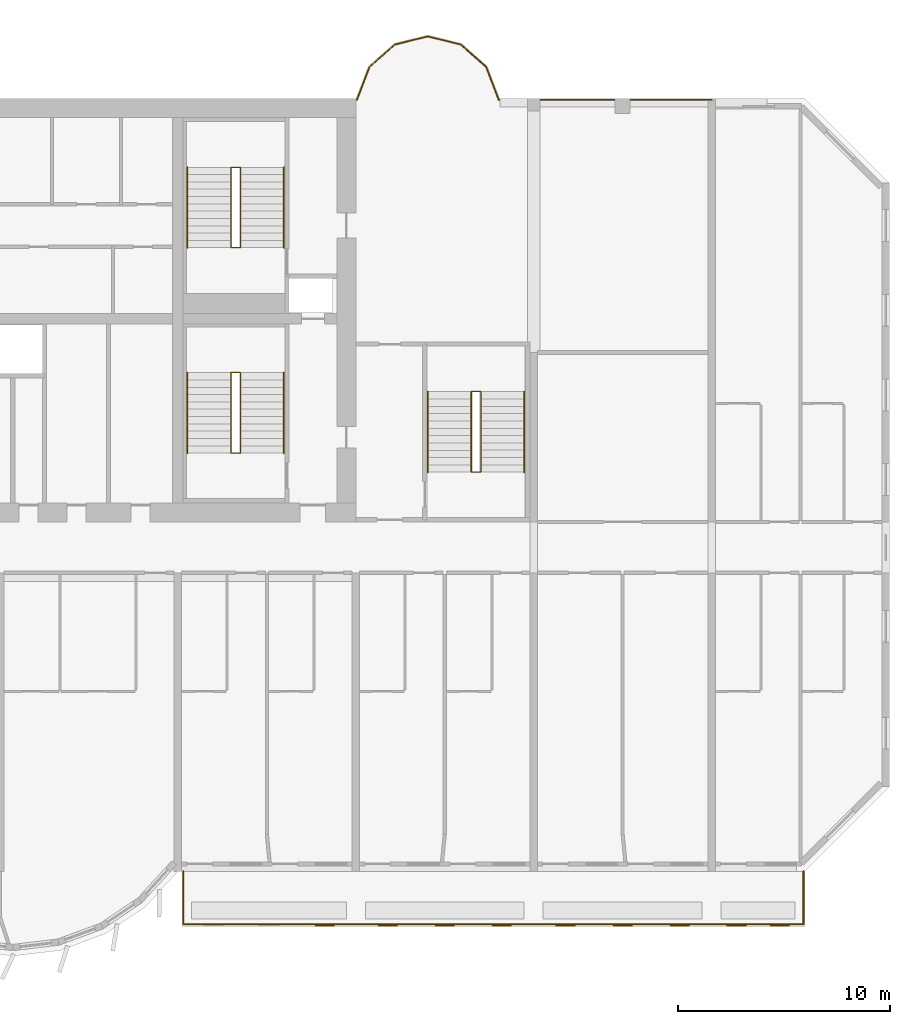
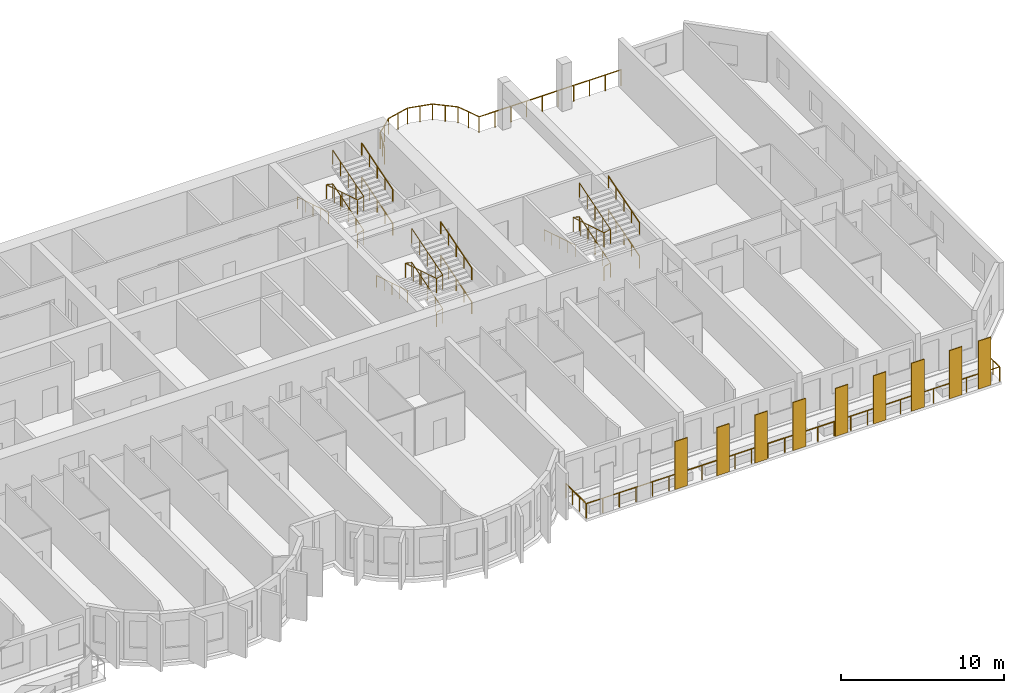
# One storey, part 14 of 15: 14 railings, 9 coverings.
"""IFC4 building model written with IfcOpenShell, lengths in metres."""

import ifcopenshell
import ifcopenshell.guid

model = None  # the IFC model being written
_history = None  # IfcOwnerHistory: only IFC2X3 demands one
_inside = {}  # id of a spatial element -> (the spatial element, [elements in it])
_under = {}  # id of a project, library or spatial element -> (it, [spatial elements below it])
_declared = {}  # id of a project -> (the project, [libraries it declares])
_typed = {}  # id of a type object -> (the type object, [elements of that type])
_made_of = {}  # id of a material, layer set ... -> (it, [elements and type objects made of it])


def new_model(schema):
    """Start an empty IFC model of exactly this schema.

    Asked for "IFC4X3", IfcOpenShell would pick the latest addendum, in which some entities
    have other attributes; the version numbers below select the first issue.
    IFC2X3 requires an IfcOwnerHistory on every rooted entity: one is made here for all.
    """
    global model, _history
    if schema == "IFC4X3":
        model = ifcopenshell.file(schema_version=(4, 3, 0, 0))
    else:
        model = ifcopenshell.file(schema=schema)
    _inside.clear()
    _under.clear()
    _declared.clear()
    _typed.clear()
    _made_of.clear()
    _history = None
    if model.schema == "IFC2X3":
        org = make("IfcOrganization", Name="unknown")
        user = make(
            "IfcPersonAndOrganization",
            ThePerson=make("IfcPerson", FamilyName="unknown"),
            TheOrganization=org,
        )
        app = make(
            "IfcApplication",
            ApplicationDeveloper=org,
            Version="unknown",
            ApplicationFullName="unknown",
            ApplicationIdentifier="unknown",
        )
        _history = make(
            "IfcOwnerHistory",
            OwningUser=user,
            OwningApplication=app,
            ChangeAction="ADDED",
            CreationDate=0,
        )
    return model


def make(cls, **values):
    """One entity of the class cls with the attributes given. An attribute that is None is left unset."""
    return model.create_entity(
        cls, **{name: value for name, value in values.items() if value is not None}
    )


def rooted(cls, **values):
    """An entity with a GlobalId (a new one), such as an element, a storey or a relation."""
    return make(cls, GlobalId=ifcopenshell.guid.new(), OwnerHistory=_history, **values)


def si_unit(unit_type, name, prefix=None):
    """IfcSIUnit, for example si_unit("LENGTHUNIT", "METRE", prefix="MILLI")."""
    return make("IfcSIUnit", UnitType=unit_type, Prefix=prefix, Name=name)


def assignment(units):
    """IfcUnitAssignment: the units of a project."""
    return None if units is None else make("IfcUnitAssignment", Units=units)


def point(xyz):
    """IfcCartesianPoint."""
    return None if xyz is None else make("IfcCartesianPoint", Coordinates=xyz)


def direction(xyz):
    """IfcDirection."""
    return None if xyz is None else make("IfcDirection", DirectionRatios=xyz)


def frame(location, z_axis=None, x_axis=None):
    """IfcAxis2Placement3D, a coordinate frame: its origin and axes. An axis left out is left unset."""
    return make(
        "IfcAxis2Placement3D",
        Location=point(location),
        Axis=direction(z_axis),
        RefDirection=direction(x_axis),
    )


def frame_2d(location, x_axis=None):
    """IfcAxis2Placement2D, a coordinate frame in the plane: its origin and x axis."""
    return make(
        "IfcAxis2Placement2D", Location=point(location), RefDirection=direction(x_axis)
    )


def origin():
    """The frame at (0, 0, 0) with its axes left unset."""
    return frame((0.0, 0.0, 0.0))


def origin_2d():
    """The frame at (0, 0) in the plane with its x axis left unset."""
    return frame_2d((0.0, 0.0))


def place(relative_to, where):
    """IfcLocalPlacement: puts the frame where relative to a parent placement (None: the world)."""
    return make(
        "IfcLocalPlacement", PlacementRelTo=relative_to, RelativePlacement=where
    )


def context(
    kind, dimensions, precision=None, world=None, true_north=None, identifier=None
):
    """IfcGeometricRepresentationContext, for example the 3D "Model" context."""
    return make(
        "IfcGeometricRepresentationContext",
        ContextIdentifier=identifier,
        ContextType=kind,
        CoordinateSpaceDimension=dimensions,
        Precision=precision,
        WorldCoordinateSystem=world,
        TrueNorth=true_north,
    )


def subcontext(parent, identifier, kind, view, scale=None):
    """IfcGeometricRepresentationSubContext, for example "Body" below "Model"."""
    return make(
        "IfcGeometricRepresentationSubContext",
        ContextIdentifier=identifier,
        ContextType=kind,
        ParentContext=parent,
        TargetScale=scale,
        TargetView=view,
    )


def project(units=None, contexts=None):
    """IfcProject with its units and contexts."""
    return rooted(
        "IfcProject",
        Name="project",
        RepresentationContexts=contexts,
        UnitsInContext=assignment(units),
    )


def spatial(cls, under=None, at=None, **own):
    """A site, building, storey or space (cls), placed at a placement, below another one or the project."""
    s = rooted(cls, ObjectPlacement=at, **own)
    if under is not None:
        _under.setdefault(under.id(), (under, []))[1].append(s)
    return s


def profile(cls, at=None, kind="AREA", **sizes):
    """A parametric profile (cls). Its sizes go by their IFC names, for example OverallWidth=200.0."""
    return make(cls, ProfileType=kind, Position=at, **sizes)


def rectangle(**sizes):
    """IfcRectangleProfileDef."""
    return profile("IfcRectangleProfileDef", **sizes)


def circle(**sizes):
    """IfcCircleProfileDef."""
    return profile("IfcCircleProfileDef", **sizes)


def extrude(swept, where, along, depth):
    """IfcExtrudedAreaSolid: the profile swept, set in the frame where, extruded along a direction by depth."""
    return make(
        "IfcExtrudedAreaSolid",
        SweptArea=swept,
        Position=where,
        ExtrudedDirection=direction(along),
        Depth=depth,
    )


def shape(context_of_items, identifier, shape_type, items):
    """IfcShapeRepresentation: the items that make up one representation, for example the "Body"."""
    return make(
        "IfcShapeRepresentation",
        ContextOfItems=context_of_items,
        RepresentationIdentifier=identifier,
        RepresentationType=shape_type,
        Items=items,
    )


def source(mapping_origin, context_of_items, identifier, shape_type, items):
    """IfcRepresentationMap: a shape defined once, which mapped items show again and again."""
    return make(
        "IfcRepresentationMap",
        MappingOrigin=mapping_origin,
        MappedRepresentation=shape(context_of_items, identifier, shape_type, items),
    )


def transform(
    local_origin,
    x_axis=None,
    y_axis=None,
    z_axis=None,
    scale=None,
    scale2=None,
    scale3=None,
    uniform=True,
):
    """IfcCartesianTransformationOperator3D, or its non-uniform kind. x_axis, y_axis, z_axis: its Axis1, 2, 3."""
    if uniform:
        return make(
            "IfcCartesianTransformationOperator3D",
            Axis1=direction(x_axis),
            Axis2=direction(y_axis),
            LocalOrigin=point(local_origin),
            Scale=scale,
            Axis3=direction(z_axis),
        )
    return make(
        "IfcCartesianTransformationOperator3DnonUniform",
        Axis1=direction(x_axis),
        Axis2=direction(y_axis),
        LocalOrigin=point(local_origin),
        Scale=scale,
        Axis3=direction(z_axis),
        Scale2=scale2,
        Scale3=scale3,
    )


def mapped(mapping_source, mapping_target):
    """IfcMappedItem: shows the shape of a source again, moved by a transform."""
    return make(
        "IfcMappedItem", MappingSource=mapping_source, MappingTarget=mapping_target
    )


def material(Name=None, Category=None):
    """IfcMaterial."""
    return make("IfcMaterial", Name=Name, Category=Category)


def layer(
    of_material, thickness, ventilated=None, Name=None, Category=None, Priority=None
):
    """IfcMaterialLayer: one layer of a wall or slab, of a material (None: an air gap)."""
    return make(
        "IfcMaterialLayer",
        Material=of_material,
        LayerThickness=thickness,
        IsVentilated=ventilated,
        Name=Name,
        Category=Category,
        Priority=Priority,
    )


def layer_set(layers, Name=None):
    """IfcMaterialLayerSet."""
    return make("IfcMaterialLayerSet", MaterialLayers=layers, LayerSetName=Name)


def made_of(thing, what):
    """Note that an element or type object is made of a material, layer set ...; save() writes the relation."""
    if what is not None:
        _made_of.setdefault(what.id(), (what, []))[1].append(thing)
    return thing


def type_object(cls, material=None, **own):
    """A type object (cls), such as IfcWallType, which elements share."""
    return made_of(rooted(cls, **own), material)


def element(
    cls,
    number,
    at=None,
    inside=None,
    cuts=None,
    type_object=None,
    material=None,
    context=None,
    identifier="Body",
    shape_type=None,
    held_by="IfcProductDefinitionShape",
    body=None,
    shapes=None,
    **own,
):
    """One element of the class cls, such as IfcWall. Its Tag is "e" and its number.

    at: its placement. inside: the storey or other place that contains it. cuts: it is an
    opening in that element (IfcRelVoidsElement). A single representation is given by context,
    identifier, shape_type and body (its items); several are given by shapes. held_by: the class
    of the entity that holds the representations. save() writes the other relations.
    """
    e = rooted(cls, Tag="e%d" % number, ObjectPlacement=at, **own)
    if body is not None:
        shapes = [shape(context, identifier, shape_type, body)]
    if shapes is not None:
        e.Representation = make(held_by, Representations=shapes)
    if inside is not None:
        _inside.setdefault(inside.id(), (inside, []))[1].append(e)
    if cuts is not None:
        rooted(
            "IfcRelVoidsElement", RelatingBuildingElement=cuts, RelatedOpeningElement=e
        )
    if type_object is not None:
        _typed.setdefault(type_object.id(), (type_object, []))[1].append(e)
    return made_of(e, material)


def aggregate(whole, parts):
    """IfcRelAggregates: a whole, such as a stair, and the parts it consists of."""
    return rooted("IfcRelAggregates", RelatingObject=whole, RelatedObjects=parts)


def save(model, path):
    """Write the relations noted so far, then the file.

    IfcRelAggregates (storeys below a building ...), IfcRelContainedInSpatialStructure (elements
    in a storey), IfcRelDefinesByType, IfcRelAssociatesMaterial and IfcRelDeclares: one each for
    every whole, place, type object, material and project.
    """
    for whole, parts in _under.values():
        aggregate(whole, parts)
    for where, things in _inside.values():
        rooted(
            "IfcRelContainedInSpatialStructure",
            RelatedElements=things,
            RelatingStructure=where,
        )
    for kind, things in _typed.values():
        rooted("IfcRelDefinesByType", RelatedObjects=things, RelatingType=kind)
    for what, things in _made_of.values():
        rooted("IfcRelAssociatesMaterial", RelatedObjects=things, RelatingMaterial=what)
    for by, libraries in _declared.values():
        rooted("IfcRelDeclares", RelatingContext=by, RelatedDefinitions=libraries)
    model.write(path)


model = new_model("IFC4")

# Units and contexts
model_context = context("Model", 3, precision=1e-05, world=origin(), true_north=direction((0.0, 1.0)))
body_context = subcontext(model_context, "Body", "Model", "MODEL_VIEW")
ifc_project = project(units=[si_unit("LENGTHUNIT", "METRE"), si_unit("AREAUNIT", "SQUARE_METRE"), si_unit("VOLUMEUNIT", "CUBIC_METRE"), si_unit("PLANEANGLEUNIT", "RADIAN"), si_unit("MASSUNIT", "GRAM", prefix="KILO")], contexts=[model_context])

# Site, building, storey
site_placement = place(None, origin())
site = spatial("IfcSite", under=ifc_project, at=site_placement, CompositionType="ELEMENT")
building_placement = place(site_placement, origin())
building = spatial("IfcBuilding", under=site, at=building_placement, Name="Vanashikhar Sky Hotel", CompositionType="ELEMENT")
storey_placement = place(building_placement, frame((0.0, 0.0, 91.39990234375)))
storey = spatial("IfcBuildingStorey", under=building, at=storey_placement, Name="L21", CompositionType="ELEMENT", Elevation=91.39990234375)

# Railing
ifc_material_1 = material(Name="Stainless steel 316", Category="steel")
railing_type_1 = type_object("IfcRailingType", Name="Balcony guard 1100", PredefinedType="GUARDRAIL", material=ifc_material_1)
shared_shape_1 = source(origin(), body_context, "Body", "SweptSolid", [
    extrude(circle(Radius=0.02392578125, at=origin_2d()), frame((0.0, 0.0, 1.076171875), z_axis=(0.0, -1.0, 0.0), x_axis=(1.0, 0.0, 0.0)), (0.0, 0.0, 1.0), 2.5),
    extrude(circle(Radius=0.02392578125, at=origin_2d()), frame((0.0, -2.5, 1.076171875), z_axis=(1.0, 0.0, 0.0), x_axis=(0.0, 1.0, 0.0)), (0.0, 0.0, 1.0), 29.280029296875),
    extrude(circle(Radius=0.02392578125, at=origin_2d()), frame((29.280029296875, -2.5, 1.076171875), z_axis=(0.0, 1.0, 0.0), x_axis=(-1.0, 0.0, 0.0)), (0.0, 0.0, 1.0), 2.5),
    extrude(circle(Radius=0.02099609375, at=origin_2d()), origin(), (0.0, 0.0, 1.0), 1.052001953125),
    extrude(circle(Radius=0.02099609375, at=origin_2d()), frame((0.0, -0.833251953125, 0.0)), (0.0, 0.0, 1.0), 1.052001953125),
    extrude(circle(Radius=0.02099609375, at=origin_2d()), frame((0.0, -1.666748046875, 0.0)), (0.0, 0.0, 1.0), 1.052001953125),
    extrude(circle(Radius=0.02099609375, at=origin_2d()), frame((0.0, -2.5, 0.0)), (0.0, 0.0, 1.0), 1.052001953125),
    extrude(circle(Radius=0.02099609375, at=origin_2d()), frame((1.171142578125, -2.5, 0.0)), (0.0, 0.0, 1.0), 1.052001953125),
    extrude(circle(Radius=0.02099609375, at=origin_2d()), frame((2.34228515625, -2.5, 0.0)), (0.0, 0.0, 1.0), 1.052001953125),
    extrude(circle(Radius=0.02099609375, at=origin_2d()), frame((3.513671875, -2.5, 0.0)), (0.0, 0.0, 1.0), 1.052001953125),
    extrude(circle(Radius=0.02099609375, at=origin_2d()), frame((4.684814453125, -2.5, 0.0)), (0.0, 0.0, 1.0), 1.052001953125),
    extrude(circle(Radius=0.02099609375, at=origin_2d()), frame((5.85595703125, -2.5, 0.0)), (0.0, 0.0, 1.0), 1.052001953125),
    extrude(circle(Radius=0.02099609375, at=origin_2d()), frame((7.027099609375, -2.5, 0.0)), (0.0, 0.0, 1.0), 1.052001953125),
    extrude(circle(Radius=0.02099609375, at=origin_2d()), frame((8.198486328125, -2.5, 0.0)), (0.0, 0.0, 1.0), 1.052001953125),
    extrude(circle(Radius=0.02099609375, at=origin_2d()), frame((9.36962890625, -2.5, 0.0)), (0.0, 0.0, 1.0), 1.052001953125),
    extrude(circle(Radius=0.02099609375, at=origin_2d()), frame((10.540771484375, -2.5, 0.0)), (0.0, 0.0, 1.0), 1.052001953125),
    extrude(circle(Radius=0.02099609375, at=origin_2d()), frame((11.7119140625, -2.5, 0.0)), (0.0, 0.0, 1.0), 1.052001953125),
    extrude(circle(Radius=0.02099609375, at=origin_2d()), frame((12.88330078125, -2.5, 0.0)), (0.0, 0.0, 1.0), 1.052001953125),
    extrude(circle(Radius=0.02099609375, at=origin_2d()), frame((14.054443359375, -2.5, 0.0)), (0.0, 0.0, 1.0), 1.052001953125),
    extrude(circle(Radius=0.02099609375, at=origin_2d()), frame((15.2255859375, -2.5, 0.0)), (0.0, 0.0, 1.0), 1.052001953125),
    extrude(circle(Radius=0.02099609375, at=origin_2d()), frame((16.396728515625, -2.5, 0.0)), (0.0, 0.0, 1.0), 1.052001953125),
    extrude(circle(Radius=0.02099609375, at=origin_2d()), frame((17.568115234375, -2.5, 0.0)), (0.0, 0.0, 1.0), 1.052001953125),
    extrude(circle(Radius=0.02099609375, at=origin_2d()), frame((18.7392578125, -2.5, 0.0)), (0.0, 0.0, 1.0), 1.052001953125),
    extrude(circle(Radius=0.02099609375, at=origin_2d()), frame((19.910400390625, -2.5, 0.0)), (0.0, 0.0, 1.0), 1.052001953125),
    extrude(circle(Radius=0.02099609375, at=origin_2d()), frame((21.08154296875, -2.5, 0.0)), (0.0, 0.0, 1.0), 1.052001953125),
    extrude(circle(Radius=0.02099609375, at=origin_2d()), frame((22.2529296875, -2.5, 0.0)), (0.0, 0.0, 1.0), 1.052001953125),
    extrude(circle(Radius=0.02099609375, at=origin_2d()), frame((23.424072265625, -2.5, 0.0)), (0.0, 0.0, 1.0), 1.052001953125),
    extrude(circle(Radius=0.02099609375, at=origin_2d()), frame((24.59521484375, -2.5, 0.0)), (0.0, 0.0, 1.0), 1.052001953125),
    extrude(circle(Radius=0.02099609375, at=origin_2d()), frame((25.766357421875, -2.5, 0.0)), (0.0, 0.0, 1.0), 1.052001953125),
    extrude(circle(Radius=0.02099609375, at=origin_2d()), frame((26.937744140625, -2.5, 0.0)), (0.0, 0.0, 1.0), 1.052001953125),
    extrude(circle(Radius=0.02099609375, at=origin_2d()), frame((28.10888671875, -2.5, 0.0)), (0.0, 0.0, 1.0), 1.052001953125),
    extrude(circle(Radius=0.02099609375, at=origin_2d()), frame((29.280029296875, -2.5, 0.0)), (0.0, 0.0, 1.0), 1.052001953125),
    extrude(circle(Radius=0.02099609375, at=origin_2d()), frame((29.280029296875, -1.666748046875, 0.0)), (0.0, 0.0, 1.0), 1.052001953125),
    extrude(circle(Radius=0.02099609375, at=origin_2d()), frame((29.280029296875, -0.833251953125, 0.0)), (0.0, 0.0, 1.0), 1.052001953125),
    extrude(circle(Radius=0.02099609375, at=origin_2d()), frame((29.280029296875, 0.0, 0.0)), (0.0, 0.0, 1.0), 1.052001953125),
])
railing_1_placement = place(storey_placement, frame((67.4599609375, 5.5, -0.0498046875)))
element("IfcRailing", 1, at=railing_1_placement, inside=storey, type_object=railing_type_1, Name="Balcony guard", PredefinedType="GUARDRAIL", context=body_context, shape_type="MappedRepresentation", body=[
    mapped(shared_shape_1, transform((0.0, 0.0, 0.0), scale=1.0)),
])

# Coverings
ifc_material_2 = material(Name="Terracotta", Category="masonry")
ifc_layer = layer(ifc_material_2, 0.06005859375)
ifc_layer_set = layer_set([ifc_layer], Name="Terracotta baguette screen")
covering_type = type_object("IfcCoveringType", Name="Terracotta baguette screen", PredefinedType="CLADDING", material=ifc_layer_set)
shared_shape_2 = source(origin(), body_context, "Body", "SweptSolid", [
    extrude(rectangle(XDim=0.89990234375, YDim=0.06005859375, at=origin_2d()), origin(), (0.0, 0.0, 1.0), 3.60009765625),
])
for number, where, z_axis, x_axis, name in (
    (2, (74.13330078125, 2.929931640625, -0.050048828125), (0.0, 0.0, 1.0), (1.0, 0.0, 0.0), "Terracotta screen"),
    (3, (77.10009765625, 2.929931640625, -0.050048828125), (0.0, 0.0, 1.0), (1.0, 0.0, 0.0), "Terracotta screen"),
    (4, (79.800048828125, 2.929931640625, -0.050048828125), (0.0, 0.0, 1.0), (1.0, 0.0, 0.0), "Terracotta screen"),
    (5, (82.5, 2.929931640625, -0.050048828125), (0.0, 0.0, 1.0), (1.0, 0.0, 0.0), "Terracotta screen"),
    (6, (85.5, 2.929931640625, -0.050048828125), (0.0, 0.0, 1.0), (1.0, 0.0, 0.0), "Terracotta screen"),
    (7, (88.199951171875, 2.929931640625, -0.050048828125), (0.0, 0.0, 1.0), (1.0, 0.0, 0.0), "Terracotta screen"),
    (8, (90.89990234375, 2.929931640625, -0.050048828125), (0.0, 0.0, 1.0), (1.0, 0.0, 0.0), "Terracotta screen"),
    (9, (93.574951171875, 2.929931640625, -0.050048828125), (0.0, 0.0, 1.0), (1.0, 0.0, 0.0), "Terracotta screen"),
    (10, (95.625, 2.929931640625, -0.050048828125), (0.0, 0.0, 1.0), (1.0, 0.0, 0.0), "Terracotta screen"),
):
    element("IfcCovering", number, at=place(storey_placement, frame(where, z_axis=z_axis, x_axis=x_axis)), inside=storey, type_object=covering_type, Name=name, PredefinedType="CLADDING", context=body_context, shape_type="MappedRepresentation", body=[
        mapped(shared_shape_2, transform((0.0, 0.0, 0.0), scale=1.0)),
    ])

# Railings
railing_type_2 = type_object("IfcRailingType", Name="Refuge terrace guard 1200", PredefinedType="GUARDRAIL", material=ifc_material_1)
shared_shape_3 = source(origin(), body_context, "Body", "SweptSolid", [
    extrude(circle(Radius=0.02392578125, at=origin_2d()), frame((0.0, 0.0, 1.17578125), z_axis=(-1.0, 0.0, 0.0), x_axis=(0.0, -1.0, 0.0)), (0.0, 0.0, 1.0), 10.048095703125),
    extrude(circle(Radius=0.02392578125, at=origin_2d()), frame((-10.048095703125, 0.0, 1.17578125), z_axis=(-0.357682612009, 0.933843214392, 0.0), x_axis=(-0.933843214392, -0.357682612009, 0.0)), (0.0, 0.0, 1.0), 1.666015625),
    extrude(circle(Radius=0.02392578125, at=origin_2d()), frame((-10.64404296875, 1.555908203125, 1.17578125), z_axis=(-0.749699987355, 0.661777854692, 0.0), x_axis=(-0.661777854692, -0.749699987355, 0.0)), (0.0, 0.0, 1.0), 1.602294921875),
    extrude(circle(Radius=0.02392578125, at=origin_2d()), frame((-11.84521484375, 2.6162109375, 1.17578125), z_axis=(-0.971138901218, 0.238514642196, 0.0), x_axis=(-0.238514642196, -0.971138901218, 0.0)), (0.0, 0.0, 1.0), 1.600830078125),
    extrude(circle(Radius=0.02392578125, at=origin_2d()), frame((-13.39990234375, 2.998046875, 1.17578125), z_axis=(-0.971138901218, -0.238514642196, 0.0), x_axis=(0.238514642196, -0.971138901218, 0.0)), (0.0, 0.0, 1.0), 1.600830078125),
    extrude(circle(Radius=0.02392578125, at=origin_2d()), frame((-14.95458984375, 2.6162109375, 1.17578125), z_axis=(-0.749699987355, -0.661777854692, 0.0), x_axis=(0.661777854692, -0.749699987355, 0.0)), (0.0, 0.0, 1.0), 1.602294921875),
    extrude(circle(Radius=0.02392578125, at=origin_2d()), frame((-16.15576171875, 1.555908203125, 1.17578125), z_axis=(-0.357682612009, -0.933843214392, 0.0), x_axis=(0.933843214392, -0.357682612009, 0.0)), (0.0, 0.0, 1.0), 1.666015625),
    extrude(circle(Radius=0.02099609375, at=origin_2d()), origin(), (0.0, 0.0, 1.0), 1.15185546875),
    extrude(circle(Radius=0.02099609375, at=origin_2d()), frame((-1.116455078125, 0.0, 0.0)), (0.0, 0.0, 1.0), 1.15185546875),
    extrude(circle(Radius=0.02099609375, at=origin_2d()), frame((-2.23291015625, 0.0, 0.0)), (0.0, 0.0, 1.0), 1.15185546875),
    extrude(circle(Radius=0.02099609375, at=origin_2d()), frame((-3.349365234375, 0.0, 0.0)), (0.0, 0.0, 1.0), 1.15185546875),
    extrude(circle(Radius=0.02099609375, at=origin_2d()), frame((-4.4658203125, 0.0, 0.0)), (0.0, 0.0, 1.0), 1.15185546875),
    extrude(circle(Radius=0.02099609375, at=origin_2d()), frame((-5.582275390625, 0.0, 0.0)), (0.0, 0.0, 1.0), 1.15185546875),
    extrude(circle(Radius=0.02099609375, at=origin_2d()), frame((-6.69873046875, 0.0, 0.0)), (0.0, 0.0, 1.0), 1.15185546875),
    extrude(circle(Radius=0.02099609375, at=origin_2d()), frame((-7.815185546875, 0.0, 0.0)), (0.0, 0.0, 1.0), 1.15185546875),
    extrude(circle(Radius=0.02099609375, at=origin_2d()), frame((-8.931640625, 0.0, 0.0)), (0.0, 0.0, 1.0), 1.15185546875),
    extrude(circle(Radius=0.02099609375, at=origin_2d()), frame((-10.048095703125, 0.0, 0.0)), (0.0, 0.0, 1.0), 1.15185546875),
    extrude(circle(Radius=0.02099609375, at=origin_2d()), frame((-10.34619140625, 0.77783203125, 0.0)), (0.0, 0.0, 1.0), 1.15185546875),
    extrude(circle(Radius=0.02099609375, at=origin_2d()), frame((-10.64404296875, 1.555908203125, 0.0)), (0.0, 0.0, 1.0), 1.15185546875),
    extrude(circle(Radius=0.02099609375, at=origin_2d()), frame((-11.24462890625, 2.0859375, 0.0)), (0.0, 0.0, 1.0), 1.15185546875),
    extrude(circle(Radius=0.02099609375, at=origin_2d()), frame((-11.84521484375, 2.6162109375, 0.0)), (0.0, 0.0, 1.0), 1.15185546875),
    extrude(circle(Radius=0.02099609375, at=origin_2d()), frame((-12.62255859375, 2.80712890625, 0.0)), (0.0, 0.0, 1.0), 1.15185546875),
    extrude(circle(Radius=0.02099609375, at=origin_2d()), frame((-13.39990234375, 2.998046875, 0.0)), (0.0, 0.0, 1.0), 1.15185546875),
    extrude(circle(Radius=0.02099609375, at=origin_2d()), frame((-14.17724609375, 2.80712890625, 0.0)), (0.0, 0.0, 1.0), 1.15185546875),
    extrude(circle(Radius=0.02099609375, at=origin_2d()), frame((-14.95458984375, 2.6162109375, 0.0)), (0.0, 0.0, 1.0), 1.15185546875),
    extrude(circle(Radius=0.02099609375, at=origin_2d()), frame((-15.55517578125, 2.0859375, 0.0)), (0.0, 0.0, 1.0), 1.15185546875),
    extrude(circle(Radius=0.02099609375, at=origin_2d()), frame((-16.15576171875, 1.555908203125, 0.0)), (0.0, 0.0, 1.0), 1.15185546875),
    extrude(circle(Radius=0.02099609375, at=origin_2d()), frame((-16.45361328125, 0.77783203125, 0.0)), (0.0, 0.0, 1.0), 1.15185546875),
    extrude(circle(Radius=0.02099609375, at=origin_2d()), frame((-16.751708984375, 0.0, 0.0)), (0.0, 0.0, 1.0), 1.15185546875),
])
railing_2_placement = place(storey_placement, frame((92.39990234375, 41.929931640625, 0.0)))
element("IfcRailing", 11, at=railing_2_placement, inside=storey, type_object=railing_type_2, Name="Refuge terrace guard", PredefinedType="GUARDRAIL", context=body_context, shape_type="MappedRepresentation", body=[
    mapped(shared_shape_3, transform((0.0, 0.0, 0.0), scale=1.0)),
])
ifc_material_3 = material(Name="Steel S355", Category="steel")
railing_type_3 = type_object("IfcRailingType", Name="Stair handrail 900", PredefinedType="HANDRAIL", material=ifc_material_3)
shared_shape_4 = source(origin(), body_context, "Body", "SweptSolid", [
    extrude(circle(Radius=0.02392578125, at=origin_2d()), frame((0.0, 0.0, 0.8759765625), z_axis=(0.0, 0.95635109408, 0.292220096591), x_axis=(-1.0, 0.0, 0.0)), (0.0, 0.0, 1.0), 3.973388671875),
    extrude(circle(Radius=0.02099609375, at=origin_2d()), origin(), (0.0, 0.0, 1.0), 0.851806640625),
    extrude(circle(Radius=0.02099609375, at=origin_2d()), frame((0.0, 0.949951171875, 0.290283203125)), (0.0, 0.0, 1.0), 0.851806640625),
    extrude(circle(Radius=0.02099609375, at=origin_2d()), frame((0.0, 1.89990234375, 0.58056640625)), (0.0, 0.0, 1.0), 0.851806640625),
    extrude(circle(Radius=0.02099609375, at=origin_2d()), frame((0.0, 2.85009765625, 0.870849609375)), (0.0, 0.0, 1.0), 0.851806640625),
    extrude(circle(Radius=0.02099609375, at=origin_2d()), frame((0.0, 3.800048828125, 1.1611328125)), (0.0, 0.0, 1.0), 0.851806640625),
])
for number, where, name in (
    (12, (72.199951171875, 25.25, 0.105712890625), "Exit stair 2 handrail"),
    (13, (72.199951171875, 25.25, 2.638916015625), "Exit stair 2 handrail"),
    (14, (72.199951171875, 34.949951171875, 0.105712890625), "Exit stair 6 handrail"),
    (15, (72.199951171875, 34.949951171875, 2.638916015625), "Exit stair 6 handrail"),
):
    element("IfcRailing", number, at=place(storey_placement, frame(where)), inside=storey, type_object=railing_type_3, Name=name, PredefinedType="HANDRAIL", context=body_context, shape_type="MappedRepresentation", body=[
        mapped(shared_shape_4, transform((0.0, 0.0, 0.0), scale=1.0)),
    ])
shared_shape_5 = source(origin(), body_context, "Body", "SweptSolid", [
    extrude(circle(Radius=0.02392578125, at=origin_2d()), frame((0.0, 0.0, 0.8759765625), z_axis=(0.0, -0.95635109408, 0.292220096591), x_axis=(1.0, 0.0, 0.0)), (0.0, 0.0, 1.0), 3.973388671875),
    extrude(circle(Radius=0.02099609375, at=origin_2d()), origin(), (0.0, 0.0, 1.0), 0.851806640625),
    extrude(circle(Radius=0.02099609375, at=origin_2d()), frame((0.0, -0.949951171875, 0.290283203125)), (0.0, 0.0, 1.0), 0.851806640625),
    extrude(circle(Radius=0.02099609375, at=origin_2d()), frame((0.0, -1.89990234375, 0.58056640625)), (0.0, 0.0, 1.0), 0.851806640625),
    extrude(circle(Radius=0.02099609375, at=origin_2d()), frame((0.0, -2.85009765625, 0.870849609375)), (0.0, 0.0, 1.0), 0.851806640625),
    extrude(circle(Radius=0.02099609375, at=origin_2d()), frame((0.0, -3.800048828125, 1.1611328125)), (0.0, 0.0, 1.0), 0.851806640625),
])
for number, where, name in (
    (16, (67.64990234375, 29.050048828125, 1.372314453125), "Exit stair 2 handrail"),
    (17, (67.64990234375, 38.75, 1.372314453125), "Exit stair 6 handrail"),
):
    element("IfcRailing", number, at=place(storey_placement, frame(where)), inside=storey, type_object=railing_type_3, Name=name, PredefinedType="HANDRAIL", context=body_context, shape_type="MappedRepresentation", body=[
        mapped(shared_shape_5, transform((0.0, 0.0, 0.0), scale=1.0)),
    ])
railing_type_4 = type_object("IfcRailingType", Name="Stair guard 1100", PredefinedType="GUARDRAIL", material=ifc_material_3)
shared_shape_6 = source(origin(), body_context, "Body", "SweptSolid", [
    extrude(circle(Radius=0.02392578125, at=origin_2d()), frame((0.0, 0.0, 1.076171875), z_axis=(0.973493315427, 0.0, 0.228715466945), x_axis=(0.0, 1.0, 0.0)), (0.0, 0.0, 1.0), 0.462158203125),
    extrude(circle(Radius=0.02392578125, at=origin_2d()), frame((0.449951171875, 0.0, 1.181640625), z_axis=(0.0, 0.95635109408, 0.292220096591), x_axis=(-1.0, 0.0, 0.0)), (0.0, 0.0, 1.0), 3.973388671875),
    extrude(circle(Radius=0.02392578125, at=origin_2d()), frame((0.449951171875, 3.800048828125, 2.3427734375), z_axis=(-0.973610808694, 0.0, 0.228214796178), x_axis=(0.0, -1.0, 0.0)), (0.0, 0.0, 1.0), 0.462158203125),
    extrude(circle(Radius=0.02392578125, at=origin_2d()), frame((0.0, 3.800048828125, 2.4482421875), z_axis=(0.0, -0.95635109408, 0.292220096591), x_axis=(1.0, 0.0, 0.0)), (0.0, 0.0, 1.0), 3.973388671875),
    extrude(circle(Radius=0.02392578125, at=origin_2d()), frame((0.0, 0.0, 3.609375), z_axis=(0.973610808694, 0.0, 0.228214796178), x_axis=(0.0, 1.0, 0.0)), (0.0, 0.0, 1.0), 0.462158203125),
    extrude(circle(Radius=0.02392578125, at=origin_2d()), frame((0.449951171875, 0.0, 3.71484375), z_axis=(0.0, 0.95635109408, 0.292220096591), x_axis=(-1.0, 0.0, 0.0)), (0.0, 0.0, 1.0), 3.973388671875),
    extrude(circle(Radius=0.02099609375, at=origin_2d()), origin(), (0.0, 0.0, 1.0), 1.052001953125),
    extrude(circle(Radius=0.02099609375, at=origin_2d()), frame((0.449951171875, 0.0, 0.105712890625)), (0.0, 0.0, 1.0), 1.052001953125),
    extrude(circle(Radius=0.02099609375, at=origin_2d()), frame((0.449951171875, 0.949951171875, 0.39599609375)), (0.0, 0.0, 1.0), 1.052001953125),
    extrude(circle(Radius=0.02099609375, at=origin_2d()), frame((0.449951171875, 1.89990234375, 0.686279296875)), (0.0, 0.0, 1.0), 1.052001953125),
    extrude(circle(Radius=0.02099609375, at=origin_2d()), frame((0.449951171875, 2.85009765625, 0.9765625)), (0.0, 0.0, 1.0), 1.052001953125),
    extrude(circle(Radius=0.02099609375, at=origin_2d()), frame((0.449951171875, 3.800048828125, 1.266845703125)), (0.0, 0.0, 1.0), 1.052001953125),
    extrude(circle(Radius=0.02099609375, at=origin_2d()), frame((0.0, 3.800048828125, 1.372314453125)), (0.0, 0.0, 1.0), 1.052001953125),
    extrude(circle(Radius=0.02099609375, at=origin_2d()), frame((0.0, 2.85009765625, 1.66259765625)), (0.0, 0.0, 1.0), 1.052001953125),
    extrude(circle(Radius=0.02099609375, at=origin_2d()), frame((0.0, 1.89990234375, 1.952880859375)), (0.0, 0.0, 1.0), 1.052001953125),
    extrude(circle(Radius=0.02099609375, at=origin_2d()), frame((0.0, 0.949951171875, 2.2431640625)), (0.0, 0.0, 1.0), 1.052001953125),
    extrude(circle(Radius=0.02099609375, at=origin_2d()), frame((0.0, 0.0, 2.533447265625)), (0.0, 0.0, 1.0), 1.052001953125),
    extrude(circle(Radius=0.02099609375, at=origin_2d()), frame((0.449951171875, 0.0, 2.638916015625)), (0.0, 0.0, 1.0), 1.052001953125),
    extrude(circle(Radius=0.02099609375, at=origin_2d()), frame((0.449951171875, 0.949951171875, 2.92919921875)), (0.0, 0.0, 1.0), 1.052001953125),
    extrude(circle(Radius=0.02099609375, at=origin_2d()), frame((0.449951171875, 1.89990234375, 3.219482421875)), (0.0, 0.0, 1.0), 1.052001953125),
    extrude(circle(Radius=0.02099609375, at=origin_2d()), frame((0.449951171875, 2.85009765625, 3.509765625)), (0.0, 0.0, 1.0), 1.052001953125),
    extrude(circle(Radius=0.02099609375, at=origin_2d()), frame((0.449951171875, 3.800048828125, 3.800048828125)), (0.0, 0.0, 1.0), 1.052001953125),
])
for number, where, name in (
    (18, (69.699951171875, 25.25, 0.0), "Exit stair 2 guard"),
    (19, (69.699951171875, 34.949951171875, 0.0), "Exit stair 6 guard"),
):
    element("IfcRailing", number, at=place(storey_placement, frame(where)), inside=storey, type_object=railing_type_4, Name=name, PredefinedType="GUARDRAIL", context=body_context, shape_type="MappedRepresentation", body=[
        mapped(shared_shape_6, transform((0.0, 0.0, 0.0), scale=1.0)),
    ])
shared_shape_7 = source(origin(), body_context, "Body", "SweptSolid", [
    extrude(circle(Radius=0.02392578125, at=origin_2d()), frame((0.0, 0.0, 0.8759765625), z_axis=(0.0, 0.956345846891, 0.292237268557), x_axis=(-1.0, 0.0, 0.0)), (0.0, 0.0, 1.0), 3.97314453125),
    extrude(circle(Radius=0.02099609375, at=origin_2d()), origin(), (0.0, 0.0, 1.0), 0.851806640625),
    extrude(circle(Radius=0.02099609375, at=origin_2d()), frame((0.0, 0.949951171875, 0.290283203125)), (0.0, 0.0, 1.0), 0.851806640625),
    extrude(circle(Radius=0.02099609375, at=origin_2d()), frame((0.0, 1.89990234375, 0.58056640625)), (0.0, 0.0, 1.0), 0.851806640625),
    extrude(circle(Radius=0.02099609375, at=origin_2d()), frame((0.0, 2.849853515625, 0.870849609375)), (0.0, 0.0, 1.0), 0.851806640625),
    extrude(circle(Radius=0.02099609375, at=origin_2d()), frame((0.0, 3.7998046875, 1.1611328125)), (0.0, 0.0, 1.0), 0.851806640625),
])
for number, where, name in (
    (20, (83.550048828125, 24.35009765625, 0.105712890625), "Exit stair 4 handrail"),
    (21, (83.550048828125, 24.35009765625, 2.638916015625), "Exit stair 4 handrail"),
):
    element("IfcRailing", number, at=place(storey_placement, frame(where)), inside=storey, type_object=railing_type_3, Name=name, PredefinedType="HANDRAIL", context=body_context, shape_type="MappedRepresentation", body=[
        mapped(shared_shape_7, transform((0.0, 0.0, 0.0), scale=1.0)),
    ])
shared_shape_8 = source(origin(), body_context, "Body", "SweptSolid", [
    extrude(circle(Radius=0.02392578125, at=origin_2d()), frame((0.0, 0.0, 0.8759765625), z_axis=(0.0, -0.956345846891, 0.292237268557), x_axis=(1.0, 0.0, 0.0)), (0.0, 0.0, 1.0), 3.97314453125),
    extrude(circle(Radius=0.02099609375, at=origin_2d()), origin(), (0.0, 0.0, 1.0), 0.851806640625),
    extrude(circle(Radius=0.02099609375, at=origin_2d()), frame((0.0, -0.949951171875, 0.290283203125)), (0.0, 0.0, 1.0), 0.851806640625),
    extrude(circle(Radius=0.02099609375, at=origin_2d()), frame((0.0, -1.89990234375, 0.58056640625)), (0.0, 0.0, 1.0), 0.851806640625),
    extrude(circle(Radius=0.02099609375, at=origin_2d()), frame((0.0, -2.849853515625, 0.870849609375)), (0.0, 0.0, 1.0), 0.851806640625),
    extrude(circle(Radius=0.02099609375, at=origin_2d()), frame((0.0, -3.7998046875, 1.1611328125)), (0.0, 0.0, 1.0), 0.851806640625),
])
railing_3_placement = place(storey_placement, frame((79.0, 28.14990234375, 1.372314453125)))
element("IfcRailing", 22, at=railing_3_placement, inside=storey, type_object=railing_type_3, Name="Exit stair 4 handrail", PredefinedType="HANDRAIL", context=body_context, shape_type="MappedRepresentation", body=[
    mapped(shared_shape_8, transform((0.0, 0.0, 0.0), scale=1.0)),
])
shared_shape_9 = source(origin(), body_context, "Body", "SweptSolid", [
    extrude(circle(Radius=0.02392578125, at=origin_2d()), frame((0.0, 0.0, 1.076171875), z_axis=(0.973493315427, 0.0, 0.228715466945), x_axis=(0.0, 1.0, 0.0)), (0.0, 0.0, 1.0), 0.462158203125),
    extrude(circle(Radius=0.02392578125, at=origin_2d()), frame((0.449951171875, 0.0, 1.181640625), z_axis=(0.0, 0.956345846891, 0.292237268557), x_axis=(-1.0, 0.0, 0.0)), (0.0, 0.0, 1.0), 3.97314453125),
    extrude(circle(Radius=0.02392578125, at=origin_2d()), frame((0.449951171875, 3.7998046875, 2.3427734375), z_axis=(-0.973610808694, 0.0, 0.228214796178), x_axis=(0.0, -1.0, 0.0)), (0.0, 0.0, 1.0), 0.462158203125),
    extrude(circle(Radius=0.02392578125, at=origin_2d()), frame((0.0, 3.7998046875, 2.4482421875), z_axis=(0.0, -0.956345846891, 0.292237268557), x_axis=(1.0, 0.0, 0.0)), (0.0, 0.0, 1.0), 3.97314453125),
    extrude(circle(Radius=0.02392578125, at=origin_2d()), frame((0.0, 0.0, 3.609375), z_axis=(0.973610808694, 0.0, 0.228214796178), x_axis=(0.0, 1.0, 0.0)), (0.0, 0.0, 1.0), 0.462158203125),
    extrude(circle(Radius=0.02392578125, at=origin_2d()), frame((0.449951171875, 0.0, 3.71484375), z_axis=(0.0, 0.956345846891, 0.292237268557), x_axis=(-1.0, 0.0, 0.0)), (0.0, 0.0, 1.0), 3.97314453125),
    extrude(circle(Radius=0.02099609375, at=origin_2d()), origin(), (0.0, 0.0, 1.0), 1.052001953125),
    extrude(circle(Radius=0.02099609375, at=origin_2d()), frame((0.449951171875, 0.0, 0.105712890625)), (0.0, 0.0, 1.0), 1.052001953125),
    extrude(circle(Radius=0.02099609375, at=origin_2d()), frame((0.449951171875, 0.949951171875, 0.39599609375)), (0.0, 0.0, 1.0), 1.052001953125),
    extrude(circle(Radius=0.02099609375, at=origin_2d()), frame((0.449951171875, 1.89990234375, 0.686279296875)), (0.0, 0.0, 1.0), 1.052001953125),
    extrude(circle(Radius=0.02099609375, at=origin_2d()), frame((0.449951171875, 2.849853515625, 0.9765625)), (0.0, 0.0, 1.0), 1.052001953125),
    extrude(circle(Radius=0.02099609375, at=origin_2d()), frame((0.449951171875, 3.7998046875, 1.266845703125)), (0.0, 0.0, 1.0), 1.052001953125),
    extrude(circle(Radius=0.02099609375, at=origin_2d()), frame((0.0, 3.7998046875, 1.372314453125)), (0.0, 0.0, 1.0), 1.052001953125),
    extrude(circle(Radius=0.02099609375, at=origin_2d()), frame((0.0, 2.849853515625, 1.66259765625)), (0.0, 0.0, 1.0), 1.052001953125),
    extrude(circle(Radius=0.02099609375, at=origin_2d()), frame((0.0, 1.89990234375, 1.952880859375)), (0.0, 0.0, 1.0), 1.052001953125),
    extrude(circle(Radius=0.02099609375, at=origin_2d()), frame((0.0, 0.949951171875, 2.2431640625)), (0.0, 0.0, 1.0), 1.052001953125),
    extrude(circle(Radius=0.02099609375, at=origin_2d()), frame((0.0, 0.0, 2.533447265625)), (0.0, 0.0, 1.0), 1.052001953125),
    extrude(circle(Radius=0.02099609375, at=origin_2d()), frame((0.449951171875, 0.0, 2.638916015625)), (0.0, 0.0, 1.0), 1.052001953125),
    extrude(circle(Radius=0.02099609375, at=origin_2d()), frame((0.449951171875, 0.949951171875, 2.92919921875)), (0.0, 0.0, 1.0), 1.052001953125),
    extrude(circle(Radius=0.02099609375, at=origin_2d()), frame((0.449951171875, 1.89990234375, 3.219482421875)), (0.0, 0.0, 1.0), 1.052001953125),
    extrude(circle(Radius=0.02099609375, at=origin_2d()), frame((0.449951171875, 2.849853515625, 3.509765625)), (0.0, 0.0, 1.0), 1.052001953125),
    extrude(circle(Radius=0.02099609375, at=origin_2d()), frame((0.449951171875, 3.7998046875, 3.800048828125)), (0.0, 0.0, 1.0), 1.052001953125),
])
railing_4_placement = place(storey_placement, frame((81.050048828125, 24.35009765625, 0.0)))
element("IfcRailing", 23, at=railing_4_placement, inside=storey, type_object=railing_type_4, Name="Exit stair 4 guard", PredefinedType="GUARDRAIL", context=body_context, shape_type="MappedRepresentation", body=[
    mapped(shared_shape_9, transform((0.0, 0.0, 0.0), scale=1.0)),
])

save(model, "model.ifc")
